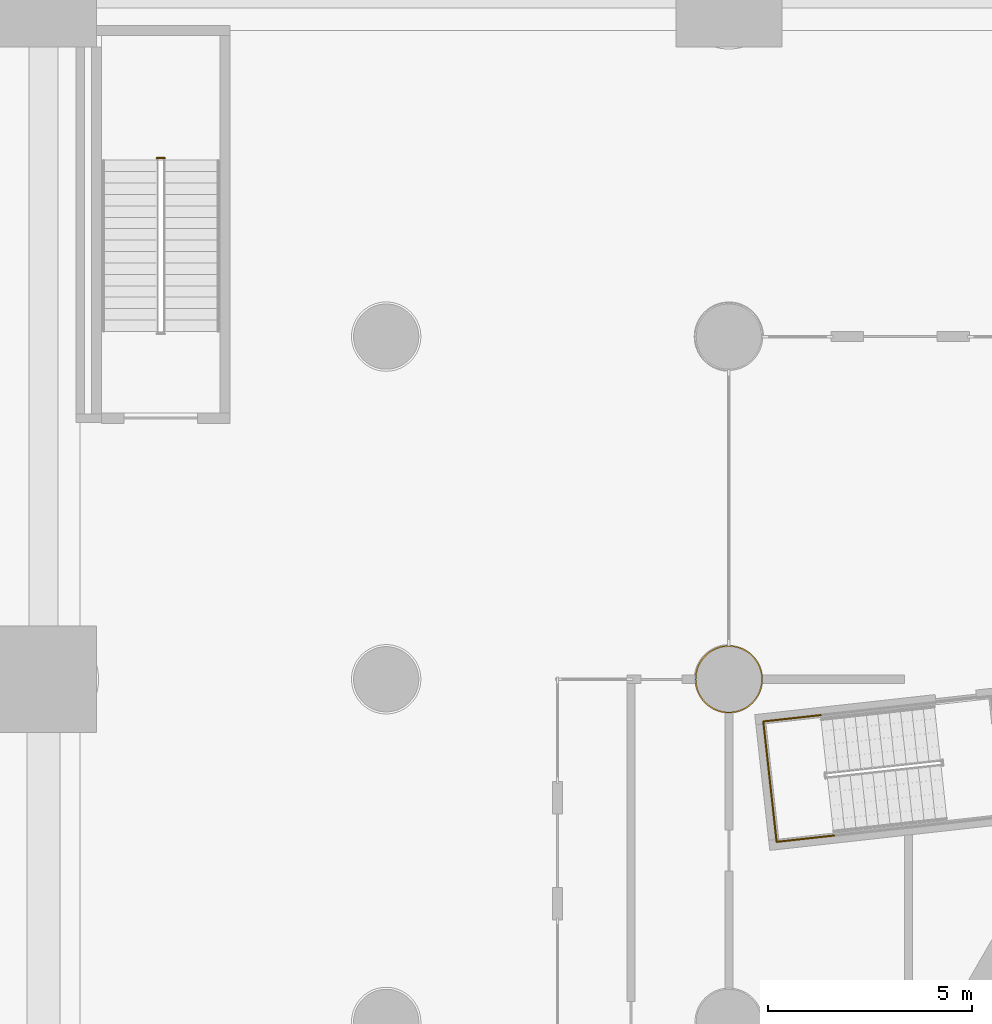
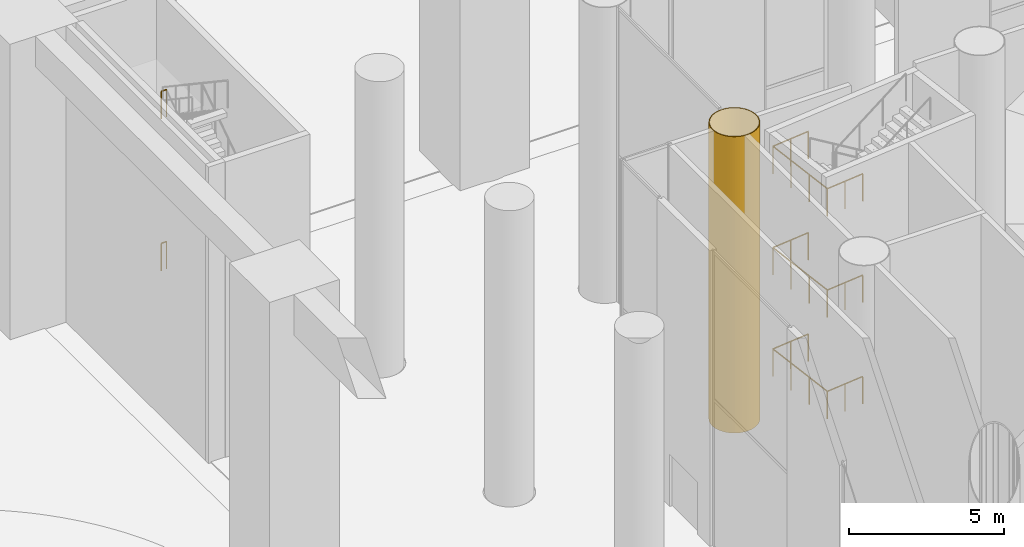
# One storey, part 40 of 52: 5 railings, 1 covering.
"""IFC4 building model written with IfcOpenShell, lengths in metres."""

from ifc_helpers import new_model, si_unit, direction, frame, origin, origin_2d, place, context, subcontext, project, spatial, polyline, circle, outline, extrude, material, layer, layer_set, type_object, element, save


model = new_model("IFC4")

# Units and contexts
model_context = context("Model", 3, precision=1e-05, world=origin(), true_north=direction((0.0, 1.0)))
body_context = subcontext(model_context, "Body", "Model", "MODEL_VIEW")
ifc_project = project(units=[si_unit("LENGTHUNIT", "METRE"), si_unit("AREAUNIT", "SQUARE_METRE"), si_unit("VOLUMEUNIT", "CUBIC_METRE"), si_unit("PLANEANGLEUNIT", "RADIAN"), si_unit("MASSUNIT", "GRAM", prefix="KILO")], contexts=[model_context])

# Site, building, storey
site_placement = place(None, origin())
site = spatial("IfcSite", under=ifc_project, at=site_placement, CompositionType="ELEMENT")
building_placement = place(site_placement, origin())
building = spatial("IfcBuilding", under=site, at=building_placement, Name="Cantera Rosa Tower", CompositionType="ELEMENT")
storey_placement = place(building_placement, origin())
storey = spatial("IfcBuildingStorey", under=building, at=storey_placement, Name="L00", CompositionType="ELEMENT", Elevation=0.0)

# Covering
ifc_material_1 = material(Name="Plaster")
ifc_layer = layer(ifc_material_1, 0.030029296875)
ifc_layer_set = layer_set([ifc_layer], Name="Column casing 30")
covering_type = type_object("IfcCoveringType", Name="Column casing 30", PredefinedType="CLADDING", material=ifc_layer_set)
covering_placement = place(storey_placement, origin())
element("IfcCovering", 1, at=covering_placement, inside=storey, type_object=covering_type, Name="Column casing L00-005", PredefinedType="CLADDING", context=body_context, shape_type="SweptSolid", body=[
    extrude(outline(polyline([(-15.97412109375, 12.5185546875), (-15.969970703125, 12.60009765625), (-15.97412109375, 12.681396484375), (-15.98583984375, 12.761962890625), (-16.005615234375, 12.8408203125), (-16.033203125, 12.91748046875), (-16.068115234375, 12.9912109375), (-16.10986328125, 13.06103515625), (-16.158447265625, 13.12646484375), (-16.213134765625, 13.18701171875), (-16.2734375, 13.24169921875), (-16.3388671875, 13.2900390625), (-16.40869140625, 13.33203125), (-16.482421875, 13.36669921875), (-16.55908203125, 13.394287109375), (-16.63818359375, 13.4140625), (-16.718505859375, 13.426025390625), (-16.800048828125, 13.429931640625), (-16.88134765625, 13.426025390625), (-16.9619140625, 13.4140625), (-17.041015625, 13.394287109375), (-17.11767578125, 13.36669921875), (-17.19140625, 13.33203125), (-17.260986328125, 13.2900390625), (-17.326416015625, 13.24169921875), (-17.386962890625, 13.18701171875), (-17.441650390625, 13.12646484375), (-17.489990234375, 13.06103515625), (-17.531982421875, 12.9912109375), (-17.56689453125, 12.91748046875), (-17.59423828125, 12.8408203125), (-17.614013671875, 12.761962890625), (-17.6259765625, 12.681396484375), (-17.6298828125, 12.60009765625), (-17.6259765625, 12.5185546875), (-17.614013671875, 12.43798828125), (-17.59423828125, 12.359130859375), (-17.56689453125, 12.282470703125), (-17.531982421875, 12.208740234375), (-17.489990234375, 12.138916015625), (-17.441650390625, 12.073486328125), (-17.386962890625, 12.01318359375), (-17.326416015625, 11.95849609375), (-17.260986328125, 11.909912109375), (-17.19140625, 11.867919921875), (-17.11767578125, 11.833251953125), (-17.041015625, 11.8056640625), (-16.9619140625, 11.785888671875), (-16.88134765625, 11.77392578125), (-16.800048828125, 11.77001953125), (-16.718505859375, 11.77392578125), (-16.63818359375, 11.785888671875), (-16.55908203125, 11.8056640625), (-16.482421875, 11.833251953125), (-16.40869140625, 11.867919921875), (-16.3388671875, 11.909912109375), (-16.2734375, 11.95849609375), (-16.213134765625, 12.01318359375), (-16.158447265625, 12.073486328125), (-16.10986328125, 12.138916015625), (-16.068115234375, 12.208740234375), (-16.033203125, 12.282470703125), (-16.005615234375, 12.359130859375), (-15.98583984375, 12.43798828125), (-15.97412109375, 12.5185546875)]), holes=[polyline([(-16.00390625, 12.678466796875), (-16.015380859375, 12.756103515625), (-16.034423828125, 12.832275390625), (-16.060791015625, 12.906005859375), (-16.094482421875, 12.97705078125), (-16.134765625, 13.04443359375), (-16.181640625, 13.107421875), (-16.234375, 13.165771484375), (-16.29248046875, 13.218505859375), (-16.35546875, 13.26513671875), (-16.4228515625, 13.305419921875), (-16.493896484375, 13.339111328125), (-16.56787109375, 13.365478515625), (-16.643798828125, 13.384521484375), (-16.7216796875, 13.39599609375), (-16.800048828125, 13.39990234375), (-16.87841796875, 13.39599609375), (-16.9560546875, 13.384521484375), (-17.0322265625, 13.365478515625), (-17.106201171875, 13.339111328125), (-17.177001953125, 13.305419921875), (-17.244384765625, 13.26513671875), (-17.3076171875, 13.218505859375), (-17.36572265625, 13.165771484375), (-17.41845703125, 13.107421875), (-17.465087890625, 13.04443359375), (-17.505615234375, 12.97705078125), (-17.5390625, 12.906005859375), (-17.565673828125, 12.832275390625), (-17.584716796875, 12.756103515625), (-17.59619140625, 12.678466796875), (-17.60009765625, 12.60009765625), (-17.59619140625, 12.521484375), (-17.584716796875, 12.44384765625), (-17.565673828125, 12.367919921875), (-17.5390625, 12.2939453125), (-17.505615234375, 12.222900390625), (-17.465087890625, 12.155517578125), (-17.41845703125, 12.092529296875), (-17.36572265625, 12.0341796875), (-17.3076171875, 11.981689453125), (-17.244384765625, 11.934814453125), (-17.177001953125, 11.89453125), (-17.106201171875, 11.86083984375), (-17.0322265625, 11.83447265625), (-16.9560546875, 11.8154296875), (-16.87841796875, 11.803955078125), (-16.800048828125, 11.800048828125), (-16.7216796875, 11.803955078125), (-16.643798828125, 11.8154296875), (-16.56787109375, 11.83447265625), (-16.493896484375, 11.86083984375), (-16.4228515625, 11.89453125), (-16.35546875, 11.934814453125), (-16.29248046875, 11.981689453125), (-16.234375, 12.0341796875), (-16.181640625, 12.092529296875), (-16.134765625, 12.155517578125), (-16.094482421875, 12.222900390625), (-16.060791015625, 12.2939453125), (-16.034423828125, 12.367919921875), (-16.015380859375, 12.44384765625), (-16.00390625, 12.521484375), (-16.0, 12.60009765625), (-16.00390625, 12.678466796875)])]), origin(), (0.0, 0.0, 1.0), 11.699951171875),
])

# Railings
ifc_material_2 = material(Name="Steel S355J2 (EN 10025-2)", Category="steel")
railing_type = type_object("IfcRailingType", Name="STAIR GUARD 1100", PredefinedType="GUARDRAIL", material=ifc_material_2)
for number, where, name in (
    (2, (-14.54345703125, 11.722900390625, 2.0), "L00 ST-12 stair guard 9"),
    (3, (-14.54345703125, 11.722900390625, 6.0), "L00 ST-12 stair guard 11"),
    (4, (-14.54345703125, 11.722900390625, 10.0), "L00 ST-12 stair guard 13"),
):
    element("IfcRailing", number, at=place(storey_placement, frame(where)), inside=storey, type_object=railing_type, Name=name, PredefinedType="GUARDRAIL", context=body_context, shape_type="SweptSolid", body=[
        extrude(circle(Radius=0.02392578125, at=origin_2d()), frame((0.0, 0.0, 1.076171875), z_axis=(-0.993885828579, -0.110412679298, 0.0), x_axis=(0.110412679298, -0.993885828579, 0.0)), (0.0, 0.0, 1.0), 1.421875),
        extrude(circle(Radius=0.02392578125, at=origin_2d()), frame((-1.4130859375, -0.156982421875, 1.076171875), z_axis=(0.11023303584, -0.99390576908, 0.0), x_axis=(0.99390576908, 0.11023303584, 0.0)), (0.0, 0.0, 1.0), 2.969970703125),
        extrude(circle(Radius=0.02392578125, at=origin_2d()), frame((-1.085693359375, -3.10888671875, 1.076171875), z_axis=(0.993887921413, 0.110393838913, 0.0), x_axis=(-0.110393838913, 0.993887921413, 0.0)), (0.0, 0.0, 1.0), 1.422119140625),
        extrude(circle(Radius=0.02099609375, at=origin_2d()), origin(), (0.0, 0.0, 1.0), 1.052001953125),
        extrude(circle(Radius=0.02099609375, at=origin_2d()), frame((-0.70654296875, -0.07861328125, 0.0)), (0.0, 0.0, 1.0), 1.052001953125),
        extrude(circle(Radius=0.02099609375, at=origin_2d()), frame((-1.4130859375, -0.156982421875, 0.0)), (0.0, 0.0, 1.0), 1.052001953125),
        extrude(circle(Radius=0.02099609375, at=origin_2d()), frame((-1.303955078125, -1.140869140625, 0.0)), (0.0, 0.0, 1.0), 1.052001953125),
        extrude(circle(Radius=0.02099609375, at=origin_2d()), frame((-1.19482421875, -2.125, 0.0)), (0.0, 0.0, 1.0), 1.052001953125),
        extrude(circle(Radius=0.02099609375, at=origin_2d()), frame((-1.085693359375, -3.10888671875, 0.0)), (0.0, 0.0, 1.0), 1.052001953125),
        extrude(circle(Radius=0.02099609375, at=origin_2d()), frame((-0.37890625, -3.0302734375, 0.0)), (0.0, 0.0, 1.0), 1.052001953125),
        extrude(circle(Radius=0.02099609375, at=origin_2d()), frame((0.32763671875, -2.951904296875, 0.0)), (0.0, 0.0, 1.0), 1.052001953125),
    ])
for number, where, name in (
    (5, (-30.625, 25.375, 3.0), "L00 ST-NW stair guard 2"),
    (6, (-30.625, 25.375, 9.0), "L00 ST-NW stair guard 6"),
):
    element("IfcRailing", number, at=place(storey_placement, frame(where)), inside=storey, type_object=railing_type, Name=name, PredefinedType="GUARDRAIL", context=body_context, shape_type="SweptSolid", body=[
        extrude(circle(Radius=0.02392578125, at=origin_2d()), frame((0.0, 0.0, 1.076171875), z_axis=(-1.0, 0.0, 0.0), x_axis=(0.0, -1.0, 0.0)), (0.0, 0.0, 1.0), 0.199951171875),
        extrude(circle(Radius=0.02099609375, at=origin_2d()), origin(), (0.0, 0.0, 1.0), 1.052001953125),
        extrude(circle(Radius=0.02099609375, at=origin_2d()), frame((-0.199951171875, 0.0, 0.0)), (0.0, 0.0, 1.0), 1.052001953125),
    ])

save(model, "model.ifc")
